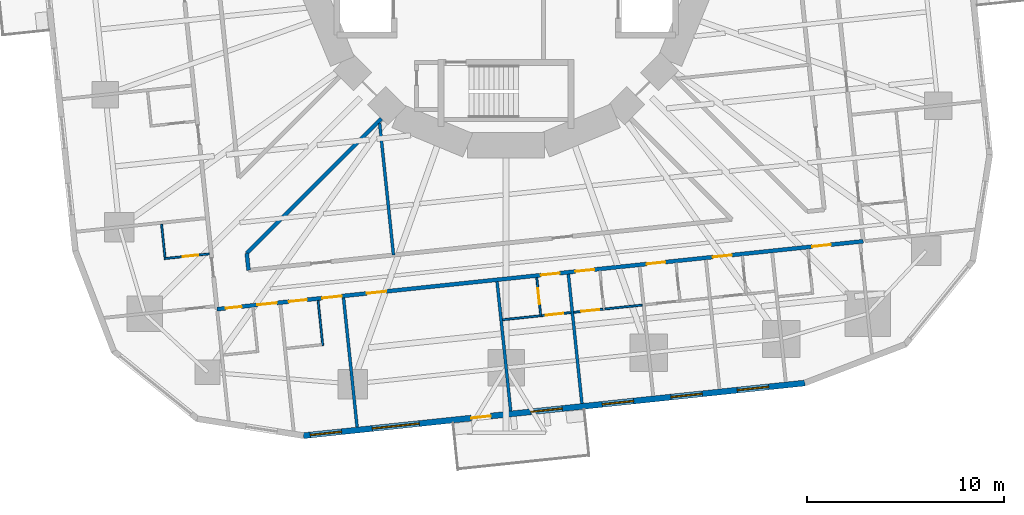
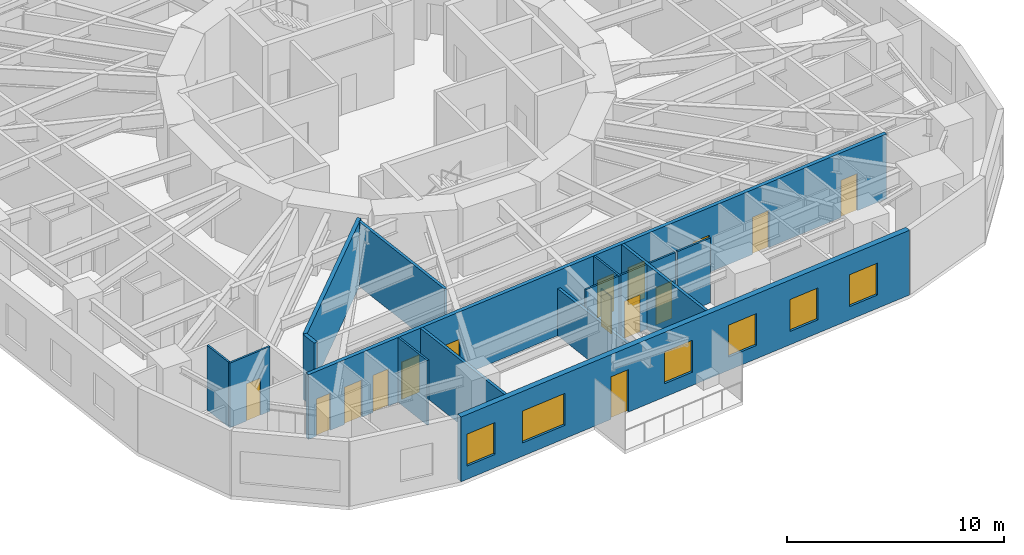
# One storey, part 5 of 13: 16 walls, 15 doors, 6 windows, 21 openings.
"""IFC4 building model written with IfcOpenShell, lengths in metres."""

from ifc_helpers import new_model, si_unit, direction, frame, frame_2d, origin, place, context, subcontext, project, spatial, rectangle, extrude, material, layer, layer_set, type_object, element, fill, save


model = new_model("IFC4")

# Units and contexts
model_context = context("Model", 3, precision=1e-05, world=origin(), true_north=direction((0.0, 1.0)))
body_context = subcontext(model_context, "Body", "Model", "MODEL_VIEW")
ifc_project = project(units=[si_unit("LENGTHUNIT", "METRE"), si_unit("AREAUNIT", "SQUARE_METRE"), si_unit("VOLUMEUNIT", "CUBIC_METRE"), si_unit("PLANEANGLEUNIT", "RADIAN"), si_unit("MASSUNIT", "GRAM", prefix="KILO")], contexts=[model_context])

# Site, building, storey
site_placement = place(None, origin())
site = spatial("IfcSite", under=ifc_project, at=site_placement, CompositionType="ELEMENT")
building_placement = place(site_placement, origin())
building = spatial("IfcBuilding", under=site, at=building_placement, Name="Nakasero Lantern House", CompositionType="ELEMENT")
storey_placement = place(building_placement, frame((0.0, 0.0, 83.60009765625)))
storey = spatial("IfcBuildingStorey", under=building, at=storey_placement, Name="L20", CompositionType="ELEMENT", Elevation=83.60009765625)

# Wall, openings, doors
ifc_material_1 = material(Name="Blockwork", Category="masonry")
ifc_layer_1 = layer(ifc_material_1, 0.199951171875)
ifc_layer_set_1 = layer_set([ifc_layer_1], Name="Corridor wall 200")
wall_type_1 = type_object("IfcWallType", Name="Corridor wall 200", PredefinedType="PARTITIONING", material=ifc_layer_set_1)
wall_1_placement = place(storey_placement, frame((-14.684814453125, -18.13427734375, 0.0), z_axis=(0.0, 0.0, 1.0), x_axis=(0.994521777723, 0.10452958258, 0.0)))
wall_1 = element("IfcWall", 1, at=wall_1_placement, inside=storey, type_object=wall_type_1, Name="Corridor wall L20 CW3", PredefinedType="PARTITIONING", context=body_context, shape_type="SweptSolid", body=[
    extrude(rectangle(XDim=32.999755859375, YDim=0.199951171875, at=frame_2d((16.5, 0.0))), origin(), (0.0, 0.0, 1.0), 3.64990234375),
])
opening_1_placement = place(wall_1_placement, frame((0.449951171875, 0.0, 0.0)))
opening_1 = element("IfcOpeningElement", 2, at=opening_1_placement, cuts=wall_1, Name="Opening D15", PredefinedType="OPENING", context=body_context, shape_type="SweptSolid", body=[
    extrude(rectangle(XDim=0.800048828125, YDim=2.10009765625, at=frame_2d((0.39990234375, 1.050048828125))), frame((0.0, 0.119873046875, 0.0), z_axis=(0.0, -1.0, 0.0), x_axis=(1.0, 0.0, 0.0)), (0.0, 0.0, 1.0), 0.239990234375),
])
opening_2_placement = place(wall_1_placement, frame((2.050048828125, 0.0, 0.0)))
opening_2 = element("IfcOpeningElement", 3, at=opening_2_placement, cuts=wall_1, Name="Opening D07", PredefinedType="OPENING", context=body_context, shape_type="SweptSolid", body=[
    extrude(rectangle(XDim=1.0, YDim=2.10009765625, at=frame_2d((0.5, 1.050048828125))), frame((0.0, 0.119873046875, 0.0), z_axis=(0.0, -1.0, 0.0), x_axis=(1.0, 0.0, 0.0)), (0.0, 0.0, 1.0), 0.239990234375),
])
opening_3_placement = place(wall_1_placement, frame((3.67529296875, 0.0, 0.0)))
opening_3 = element("IfcOpeningElement", 4, at=opening_3_placement, cuts=wall_1, Name="Opening D16", PredefinedType="OPENING", context=body_context, shape_type="SweptSolid", body=[
    extrude(rectangle(XDim=0.89990234375, YDim=2.10009765625, at=frame_2d((0.449951171875, 1.050048828125))), frame((0.0, 0.119873046875, 0.0), z_axis=(0.0, -1.0, 0.0), x_axis=(1.0, 0.0, 0.0)), (0.0, 0.0, 1.0), 0.239990234375),
])
opening_4_placement = place(wall_1_placement, frame((5.375244140625, 0.0, 0.0)))
opening_4 = element("IfcOpeningElement", 5, at=opening_4_placement, cuts=wall_1, Name="Opening D07", PredefinedType="OPENING", context=body_context, shape_type="SweptSolid", body=[
    extrude(rectangle(XDim=1.0, YDim=2.10009765625, at=frame_2d((0.5, 1.050048828125))), frame((0.0, 0.119873046875, 0.0), z_axis=(0.0, -1.0, 0.0), x_axis=(1.0, 0.0, 0.0)), (0.0, 0.0, 1.0), 0.239990234375),
])
opening_5_placement = place(wall_1_placement, frame((16.542724609375, 0.0, 0.0)))
opening_5 = element("IfcOpeningElement", 6, at=opening_5_placement, cuts=wall_1, Name="Opening D01", PredefinedType="OPENING", context=body_context, shape_type="SweptSolid", body=[
    extrude(rectangle(XDim=0.949951171875, YDim=2.10009765625, at=frame_2d((0.47509765625, 1.050048828125))), frame((0.0, 0.119873046875, 0.0), z_axis=(0.0, -1.0, 0.0), x_axis=(1.0, 0.0, 0.0)), (0.0, 0.0, 1.0), 0.239990234375),
])
opening_6_placement = place(wall_1_placement, frame((18.306396484375, 0.0, 0.0)))
opening_6 = element("IfcOpeningElement", 7, at=opening_6_placement, cuts=wall_1, Name="Opening D01", PredefinedType="OPENING", context=body_context, shape_type="SweptSolid", body=[
    extrude(rectangle(XDim=0.949951171875, YDim=2.10009765625, at=frame_2d((0.47509765625, 1.050048828125))), frame((0.0, 0.119873046875, 0.0), z_axis=(0.0, -1.0, 0.0), x_axis=(1.0, 0.0, 0.0)), (0.0, 0.0, 1.0), 0.239990234375),
])
opening_7_placement = place(wall_1_placement, frame((21.945068359375, 0.0, 0.0)))
opening_7 = element("IfcOpeningElement", 8, at=opening_7_placement, cuts=wall_1, Name="Opening D01", PredefinedType="OPENING", context=body_context, shape_type="SweptSolid", body=[
    extrude(rectangle(XDim=0.949951171875, YDim=2.10009765625, at=frame_2d((0.47509765625, 1.050048828125))), frame((0.0, 0.119873046875, 0.0), z_axis=(0.0, -1.0, 0.0), x_axis=(1.0, 0.0, 0.0)), (0.0, 0.0, 1.0), 0.239990234375),
])
opening_8_placement = place(wall_1_placement, frame((25.33056640625, 0.0, 0.0)))
opening_8 = element("IfcOpeningElement", 9, at=opening_8_placement, cuts=wall_1, Name="Opening D01", PredefinedType="OPENING", context=body_context, shape_type="SweptSolid", body=[
    extrude(rectangle(XDim=0.949951171875, YDim=2.10009765625, at=frame_2d((0.47509765625, 1.050048828125))), frame((0.0, 0.119873046875, 0.0), z_axis=(0.0, -1.0, 0.0), x_axis=(1.0, 0.0, 0.0)), (0.0, 0.0, 1.0), 0.239990234375),
])
opening_9_placement = place(wall_1_placement, frame((30.39111328125, 0.0, 0.0)))
opening_9 = element("IfcOpeningElement", 10, at=opening_9_placement, cuts=wall_1, Name="Opening D01", PredefinedType="OPENING", context=body_context, shape_type="SweptSolid", body=[
    extrude(rectangle(XDim=0.949951171875, YDim=2.10009765625, at=frame_2d((0.47509765625, 1.050048828125))), frame((0.0, 0.119873046875, 0.0), z_axis=(0.0, -1.0, 0.0), x_axis=(1.0, 0.0, 0.0)), (0.0, 0.0, 1.0), 0.239990234375),
])
opening_10_placement = place(wall_1_placement, frame((7.650634765625, 0.0, 0.0)))
opening_10 = element("IfcOpeningElement", 11, at=opening_10_placement, cuts=wall_1, Name="Opening D03", PredefinedType="OPENING", context=body_context, shape_type="SweptSolid", body=[
    extrude(rectangle(XDim=1.0, YDim=2.10009765625, at=frame_2d((0.5, 1.050048828125))), frame((0.0, 0.119873046875, 0.0), z_axis=(0.0, -1.0, 0.0), x_axis=(1.0, 0.0, 0.0)), (0.0, 0.0, 1.0), 0.239990234375),
])
ifc_material_2 = material(Name="Timber C24", Category="wood")
door_type_1 = type_object("IfcDoorType", Name="Accessible WC door 900", OperationType="SINGLE_SWING_RIGHT", PredefinedType="DOOR", material=ifc_material_2)
door_1_placement = place(opening_3_placement, origin())
door_1 = element("IfcDoor", 12, at=door_1_placement, inside=storey, type_object=door_type_1, Name="Door L20 DS3-01", OperationType="SINGLE_SWING_LEFT", OverallHeight=2.10009765625, OverallWidth=0.89990234375, PredefinedType="DOOR", context=body_context, shape_type="SweptSolid", body=[
    extrude(rectangle(XDim=0.89990234375, YDim=2.10009765625, at=frame_2d((0.449951171875, 1.050048828125))), frame((0.0, 0.02490234375, 0.0), z_axis=(0.0, -1.0, 0.0), x_axis=(1.0, 0.0, 0.0)), (0.0, 0.0, 1.0), 0.050048828125),
])
fill(opening_3, door_1)
ifc_material_3 = material(Name="Timber C24", Category="wood")
door_type_2 = type_object("IfcDoorType", Name="Bedroom door FD30S 950", OperationType="SINGLE_SWING_LEFT", PredefinedType="DOOR", material=ifc_material_3)
door_2_placement = place(opening_5_placement, origin())
door_2 = element("IfcDoor", 13, at=door_2_placement, inside=storey, type_object=door_type_2, Name="Door L20 D3-04", OperationType="SINGLE_SWING_RIGHT", OverallHeight=2.10009765625, OverallWidth=0.949951171875, PredefinedType="DOOR", context=body_context, shape_type="SweptSolid", body=[
    extrude(rectangle(XDim=0.949951171875, YDim=2.10009765625, at=frame_2d((0.47509765625, 1.050048828125))), frame((0.0, 0.02490234375, 0.0), z_axis=(0.0, -1.0, 0.0), x_axis=(1.0, 0.0, 0.0)), (0.0, 0.0, 1.0), 0.050048828125),
])
fill(opening_5, door_2)
door_3_placement = place(opening_6_placement, origin())
door_3 = element("IfcDoor", 14, at=door_3_placement, inside=storey, type_object=door_type_2, Name="Door L20 D3-05", OperationType="SINGLE_SWING_RIGHT", OverallHeight=2.10009765625, OverallWidth=0.949951171875, PredefinedType="DOOR", context=body_context, shape_type="SweptSolid", body=[
    extrude(rectangle(XDim=0.949951171875, YDim=2.10009765625, at=frame_2d((0.47509765625, 1.050048828125))), frame((0.0, 0.02490234375, 0.0), z_axis=(0.0, -1.0, 0.0), x_axis=(1.0, 0.0, 0.0)), (0.0, 0.0, 1.0), 0.050048828125),
])
fill(opening_6, door_3)
door_4_placement = place(opening_7_placement, origin())
door_4 = element("IfcDoor", 15, at=door_4_placement, inside=storey, type_object=door_type_2, Name="Door L20 D3-06", OperationType="SINGLE_SWING_RIGHT", OverallHeight=2.10009765625, OverallWidth=0.949951171875, PredefinedType="DOOR", context=body_context, shape_type="SweptSolid", body=[
    extrude(rectangle(XDim=0.949951171875, YDim=2.10009765625, at=frame_2d((0.47509765625, 1.050048828125))), frame((0.0, 0.02490234375, 0.0), z_axis=(0.0, -1.0, 0.0), x_axis=(1.0, 0.0, 0.0)), (0.0, 0.0, 1.0), 0.050048828125),
])
fill(opening_7, door_4)
door_5_placement = place(opening_8_placement, origin())
door_5 = element("IfcDoor", 16, at=door_5_placement, inside=storey, type_object=door_type_2, Name="Door L20 D3-07", OperationType="SINGLE_SWING_RIGHT", OverallHeight=2.10009765625, OverallWidth=0.949951171875, PredefinedType="DOOR", context=body_context, shape_type="SweptSolid", body=[
    extrude(rectangle(XDim=0.949951171875, YDim=2.10009765625, at=frame_2d((0.47509765625, 1.050048828125))), frame((0.0, 0.02490234375, 0.0), z_axis=(0.0, -1.0, 0.0), x_axis=(1.0, 0.0, 0.0)), (0.0, 0.0, 1.0), 0.050048828125),
])
fill(opening_8, door_5)
door_6_placement = place(opening_9_placement, origin())
door_6 = element("IfcDoor", 17, at=door_6_placement, inside=storey, type_object=door_type_2, Name="Door L20 D3-08", OperationType="SINGLE_SWING_RIGHT", OverallHeight=2.10009765625, OverallWidth=0.949951171875, PredefinedType="DOOR", context=body_context, shape_type="SweptSolid", body=[
    extrude(rectangle(XDim=0.949951171875, YDim=2.10009765625, at=frame_2d((0.47509765625, 1.050048828125))), frame((0.0, 0.02490234375, 0.0), z_axis=(0.0, -1.0, 0.0), x_axis=(1.0, 0.0, 0.0)), (0.0, 0.0, 1.0), 0.050048828125),
])
fill(opening_9, door_6)
ifc_material_4 = material(Name="Timber C24", Category="wood")
door_type_3 = type_object("IfcDoorType", Name="Cleaner's store door FD30S 800", OperationType="SINGLE_SWING_LEFT", PredefinedType="DOOR", material=ifc_material_4)
door_7_placement = place(opening_1_placement, origin())
door_7 = element("IfcDoor", 18, at=door_7_placement, inside=storey, type_object=door_type_3, Name="Door L20 DS3-00", OperationType="SINGLE_SWING_LEFT", OverallHeight=2.10009765625, OverallWidth=0.800048828125, PredefinedType="DOOR", context=body_context, shape_type="SweptSolid", body=[
    extrude(rectangle(XDim=0.800048828125, YDim=2.10009765625, at=frame_2d((0.39990234375, 1.050048828125))), frame((0.0, 0.02490234375, 0.0), z_axis=(0.0, -1.0, 0.0), x_axis=(1.0, 0.0, 0.0)), (0.0, 0.0, 1.0), 0.050048828125),
])
fill(opening_1, door_7)
ifc_material_5 = material(Name="Timber C24", Category="wood")
door_type_4 = type_object("IfcDoorType", Name="Lounge door FD30S 1000", OperationType="SINGLE_SWING_LEFT", PredefinedType="DOOR", material=ifc_material_5)
door_8_placement = place(opening_10_placement, origin())
door_8 = element("IfcDoor", 19, at=door_8_placement, inside=storey, type_object=door_type_4, Name="Door L20 DK3", OperationType="SINGLE_SWING_LEFT", OverallHeight=2.10009765625, OverallWidth=1.0, PredefinedType="DOOR", context=body_context, shape_type="SweptSolid", body=[
    extrude(rectangle(XDim=1.0, YDim=2.10009765625, at=frame_2d((0.5, 1.050048828125))), frame((0.0, 0.02490234375, 0.0), z_axis=(0.0, -1.0, 0.0), x_axis=(1.0, 0.0, 0.0)), (0.0, 0.0, 1.0), 0.050048828125),
])
fill(opening_10, door_8)
ifc_material_6 = material(Name="Timber C24", Category="wood")
door_type_5 = type_object("IfcDoorType", Name="Room door FD30S 1000", OperationType="SINGLE_SWING_LEFT", PredefinedType="DOOR", material=ifc_material_6)
door_9_placement = place(opening_2_placement, origin())
door_9 = element("IfcDoor", 20, at=door_9_placement, inside=storey, type_object=door_type_5, Name="Door L20 D3-00", OperationType="SINGLE_SWING_LEFT", OverallHeight=2.10009765625, OverallWidth=1.0, PredefinedType="DOOR", context=body_context, shape_type="SweptSolid", body=[
    extrude(rectangle(XDim=1.0, YDim=2.10009765625, at=frame_2d((0.5, 1.050048828125))), frame((0.0, 0.02490234375, 0.0), z_axis=(0.0, -1.0, 0.0), x_axis=(1.0, 0.0, 0.0)), (0.0, 0.0, 1.0), 0.050048828125),
])
fill(opening_2, door_9)
door_10_placement = place(opening_4_placement, origin())
door_10 = element("IfcDoor", 21, at=door_10_placement, inside=storey, type_object=door_type_5, Name="Door L20 D3-01", OperationType="SINGLE_SWING_LEFT", OverallHeight=2.10009765625, OverallWidth=1.0, PredefinedType="DOOR", context=body_context, shape_type="SweptSolid", body=[
    extrude(rectangle(XDim=1.0, YDim=2.10009765625, at=frame_2d((0.5, 1.050048828125))), frame((0.0, 0.02490234375, 0.0), z_axis=(0.0, -1.0, 0.0), x_axis=(1.0, 0.0, 0.0)), (0.0, 0.0, 1.0), 0.050048828125),
])
fill(opening_4, door_10)

# Walls
wall_2_placement = place(storey_placement, frame((-6.334228515625, -8.45556640625, 0.0), z_axis=(0.0, 0.0, 1.0), x_axis=(-0.707106781187, -0.707106781187, 0.0)))
element("IfcWall", 22, at=wall_2_placement, inside=storey, type_object=wall_type_1, Name="Corridor wall L20 PS10a", PredefinedType="PARTITIONING", context=body_context, shape_type="SweptSolid", body=[
    extrude(rectangle(XDim=9.671875, YDim=0.199951171875, at=frame_2d((4.8359375, 0.0))), origin(), (0.0, 0.0, 1.0), 3.64990234375),
])
wall_3_placement = place(storey_placement, frame((-13.0830078125, -16.156005859375, 0.0), z_axis=(0.0, 0.0, 1.0), x_axis=(-0.104303245505, 0.994545540927, 0.0)))
element("IfcWall", 23, at=wall_3_placement, inside=storey, type_object=wall_type_1, Name="Corridor wall L20 IW3-0R0", PredefinedType="PARTITIONING", context=body_context, shape_type="SweptSolid", body=[
    extrude(rectangle(XDim=0.865966796875, YDim=0.199951171875, at=frame_2d((0.43310546875, 0.0))), origin(), (0.0, 0.0, 1.0), 3.64990234375),
])

# Wall, opening, door
ifc_material_7 = material(Name="Blockwork", Category="masonry")
ifc_layer_2 = layer(ifc_material_7, 0.10009765625)
ifc_layer_set_2 = layer_set([ifc_layer_2], Name="En-suite wall 100")
wall_type_2 = type_object("IfcWallType", Name="En-suite wall 100", PredefinedType="PARTITIONING", material=ifc_layer_set_2)
wall_4_placement = place(storey_placement, frame((-15.08056640625, -15.326416015625, 0.0), z_axis=(0.0, 0.0, 1.0), x_axis=(-0.994518822602, -0.104557694553, 0.0)))
wall_4 = element("IfcWall", 24, at=wall_4_placement, inside=storey, type_object=wall_type_2, Name="En-suite wall L20 ES2-08", PredefinedType="PARTITIONING", context=body_context, shape_type="SweptSolid", body=[
    extrude(rectangle(XDim=2.300048828125, YDim=0.10009765625, at=frame_2d((1.14990234375, 0.0))), origin(), (0.0, 0.0, 1.0), 3.64990234375),
])
opening_11_placement = place(wall_4_placement, frame((0.550048828125, 0.0, 0.0)))
opening_11 = element("IfcOpeningElement", 25, at=opening_11_placement, cuts=wall_4, Name="Opening D02", PredefinedType="OPENING", context=body_context, shape_type="SweptSolid", body=[
    extrude(rectangle(XDim=0.800048828125, YDim=2.10009765625, at=frame_2d((0.39990234375, 1.050048828125))), frame((0.0, 0.070068359375, 0.0), z_axis=(0.0, -1.0, 0.0), x_axis=(1.0, 0.0, 0.0)), (0.0, 0.0, 1.0), 0.14013671875),
])
ifc_material_8 = material(Name="Timber C24", Category="wood")
door_type_6 = type_object("IfcDoorType", Name="En-suite door 800", OperationType="SINGLE_SWING_RIGHT", PredefinedType="DOOR", material=ifc_material_8)
door_11_placement = place(opening_11_placement, origin())
door_11 = element("IfcDoor", 26, at=door_11_placement, inside=storey, type_object=door_type_6, Name="Door L20 DE2-08", OperationType="SINGLE_SWING_LEFT", OverallHeight=2.10009765625, OverallWidth=0.800048828125, PredefinedType="DOOR", context=body_context, shape_type="SweptSolid", body=[
    extrude(rectangle(XDim=0.800048828125, YDim=2.10009765625, at=frame_2d((0.39990234375, 1.050048828125))), frame((0.0, 0.02490234375, 0.0), z_axis=(0.0, -1.0, 0.0), x_axis=(1.0, 0.0, 0.0)), (0.0, 0.0, 1.0), 0.050048828125),
])
fill(opening_11, door_11)

# Walls
wall_5_placement = place(storey_placement, frame((-17.501220703125, -13.8212890625, 0.0), z_axis=(0.0, 0.0, 1.0), x_axis=(0.104550220202, -0.994519608382, 0.0)))
element("IfcWall", 27, at=wall_5_placement, inside=storey, type_object=wall_type_2, Name="En-suite wall L20 EE2-08", PredefinedType="PARTITIONING", context=body_context, shape_type="SweptSolid", body=[
    extrude(rectangle(XDim=1.699951171875, YDim=0.10009765625, at=frame_2d((0.85009765625, 0.0))), origin(), (0.0, 0.0, 1.0), 3.64990234375),
])
wall_6_placement = place(storey_placement, frame((-9.55224609375, -17.6953125, 0.0), z_axis=(0.0, 0.0, 1.0), x_axis=(0.104441677364, -0.994531013106, 0.0)))
element("IfcWall", 28, at=wall_6_placement, inside=storey, type_object=wall_type_2, Name="En-suite wall L20 ES3-01", PredefinedType="PARTITIONING", context=body_context, shape_type="SweptSolid", body=[
    extrude(rectangle(XDim=2.30029296875, YDim=0.10009765625, at=frame_2d((1.150146484375, 0.0))), origin(), (0.0, 0.0, 1.0), 3.64990234375),
])

# Wall, opening, door
wall_7_placement = place(storey_placement, frame((1.553955078125, -16.528076171875, 0.0), z_axis=(0.0, 0.0, 1.0), x_axis=(0.104494148666, -0.99452550138, 0.0)))
wall_7 = element("IfcWall", 29, at=wall_7_placement, inside=storey, type_object=wall_type_2, Name="En-suite wall L20 ES3-04", PredefinedType="PARTITIONING", context=body_context, shape_type="SweptSolid", body=[
    extrude(rectangle(XDim=2.0, YDim=0.10009765625, at=frame_2d((1.0, 0.0))), origin(), (0.0, 0.0, 1.0), 3.64990234375),
])
opening_12_placement = place(wall_7_placement, frame((0.550048828125, 0.0, 0.0)))
opening_12 = element("IfcOpeningElement", 30, at=opening_12_placement, cuts=wall_7, Name="Opening D02", PredefinedType="OPENING", context=body_context, shape_type="SweptSolid", body=[
    extrude(rectangle(XDim=0.800048828125, YDim=2.10009765625, at=frame_2d((0.39990234375, 1.050048828125))), frame((0.0, 0.070068359375, 0.0), z_axis=(0.0, -1.0, 0.0), x_axis=(1.0, 0.0, 0.0)), (0.0, 0.0, 1.0), 0.14013671875),
])
door_12_placement = place(opening_12_placement, origin())
door_12 = element("IfcDoor", 31, at=door_12_placement, inside=storey, type_object=door_type_6, Name="Door L20 DE3-04", OperationType="SINGLE_SWING_LEFT", OverallHeight=2.10009765625, OverallWidth=0.800048828125, PredefinedType="DOOR", context=body_context, shape_type="SweptSolid", body=[
    extrude(rectangle(XDim=0.800048828125, YDim=2.10009765625, at=frame_2d((0.39990234375, 1.050048828125))), frame((0.0, 0.02490234375, 0.0), z_axis=(0.0, -1.0, 0.0), x_axis=(1.0, 0.0, 0.0)), (0.0, 0.0, 1.0), 0.050048828125),
])
fill(opening_12, door_12)

# Walls
wall_8_placement = place(storey_placement, frame((-0.181396484375, -18.671142578125, 0.0), z_axis=(0.0, 0.0, 1.0), x_axis=(0.994527260141, 0.104477408256, 0.0)))
element("IfcWall", 32, at=wall_8_placement, inside=storey, type_object=wall_type_2, Name="En-suite wall L20 EE3-04", PredefinedType="PARTITIONING", context=body_context, shape_type="SweptSolid", body=[
    extrude(rectangle(XDim=1.89990234375, YDim=0.10009765625, at=frame_2d((0.949951171875, 0.0))), origin(), (0.0, 0.0, 1.0), 3.64990234375),
])
wall_9_placement = place(storey_placement, frame((5.01708984375, -18.124755859375, 0.0), z_axis=(0.0, 0.0, 1.0), x_axis=(0.994528662611, 0.104464057197, 0.0)))
element("IfcWall", 33, at=wall_9_placement, inside=storey, type_object=wall_type_2, Name="En-suite wall L20 EE3-05", PredefinedType="PARTITIONING", context=body_context, shape_type="SweptSolid", body=[
    extrude(rectangle(XDim=1.900146484375, YDim=0.10009765625, at=frame_2d((0.9501953125, 0.0))), origin(), (0.0, 0.0, 1.0), 3.64990234375),
])

# Wall, opening, door
wall_10_placement = place(storey_placement, frame((1.8076171875, -18.462158203125, 0.0), z_axis=(0.0, 0.0, 1.0), x_axis=(0.994527896493, 0.104471350605, 0.0)))
wall_10 = element("IfcWall", 34, at=wall_10_placement, inside=storey, type_object=wall_type_2, Name="En-suite wall L20 EL3-04", PredefinedType="PARTITIONING", context=body_context, shape_type="SweptSolid", body=[
    extrude(rectangle(XDim=1.488525390625, YDim=0.10009765625, at=frame_2d((0.744140625, 0.0))), origin(), (0.0, 0.0, 1.0), 3.64990234375),
])
opening_13_placement = place(wall_10_placement, frame((0.199951171875, 0.0, 0.0)))
opening_13 = element("IfcOpeningElement", 35, at=opening_13_placement, cuts=wall_10, Name="Opening D17", PredefinedType="OPENING", context=body_context, shape_type="SweptSolid", body=[
    extrude(rectangle(XDim=0.89990234375, YDim=2.10009765625, at=frame_2d((0.449951171875, 1.050048828125))), frame((0.0, 0.070068359375, 0.0), z_axis=(0.0, -1.0, 0.0), x_axis=(1.0, 0.0, 0.0)), (0.0, 0.0, 1.0), 0.14013671875),
])
ifc_material_9 = material(Name="Timber C24", Category="wood")
door_type_7 = type_object("IfcDoorType", Name="Bedroom door FD30S 900", OperationType="SINGLE_SWING_LEFT", PredefinedType="DOOR", material=ifc_material_9)
door_13_placement = place(opening_13_placement, origin())
door_13 = element("IfcDoor", 36, at=door_13_placement, inside=storey, type_object=door_type_7, Name="Door L20 DL3-04", OperationType="SINGLE_SWING_LEFT", OverallHeight=2.10009765625, OverallWidth=0.89990234375, PredefinedType="DOOR", context=body_context, shape_type="SweptSolid", body=[
    extrude(rectangle(XDim=0.89990234375, YDim=2.10009765625, at=frame_2d((0.449951171875, 1.050048828125))), frame((0.0, 0.02490234375, 0.0), z_axis=(0.0, -1.0, 0.0), x_axis=(1.0, 0.0, 0.0)), (0.0, 0.0, 1.0), 0.050048828125),
])
fill(opening_13, door_13)

wall_11_placement = place(storey_placement, frame((3.437255859375, -18.291015625, 0.0), z_axis=(0.0, 0.0, 1.0), x_axis=(0.994510843464, 0.104633561697, 0.0)))
wall_11 = element("IfcWall", 37, at=wall_11_placement, inside=storey, type_object=wall_type_2, Name="En-suite wall L20 EL3-05", PredefinedType="PARTITIONING", context=body_context, shape_type="SweptSolid", body=[
    extrude(rectangle(XDim=1.488525390625, YDim=0.10009765625, at=frame_2d((0.744140625, 0.0))), origin(), (0.0, 0.0, 1.0), 3.64990234375),
])
opening_14_placement = place(wall_11_placement, frame((0.388671875, 0.0, 0.0)))
opening_14 = element("IfcOpeningElement", 38, at=opening_14_placement, cuts=wall_11, Name="Opening D17", PredefinedType="OPENING", context=body_context, shape_type="SweptSolid", body=[
    extrude(rectangle(XDim=0.89990234375, YDim=2.10009765625, at=frame_2d((0.449951171875, 1.050048828125))), frame((0.0, 0.070068359375, 0.0), z_axis=(0.0, -1.0, 0.0), x_axis=(1.0, 0.0, 0.0)), (0.0, 0.0, 1.0), 0.14013671875),
])
door_14_placement = place(opening_14_placement, origin())
door_14 = element("IfcDoor", 39, at=door_14_placement, inside=storey, type_object=door_type_7, Name="Door L20 DL3-05", OperationType="SINGLE_SWING_RIGHT", OverallHeight=2.10009765625, OverallWidth=0.89990234375, PredefinedType="DOOR", context=body_context, shape_type="SweptSolid", body=[
    extrude(rectangle(XDim=0.89990234375, YDim=2.10009765625, at=frame_2d((0.449951171875, 1.050048828125))), frame((0.0, 0.02490234375, 0.0), z_axis=(0.0, -1.0, 0.0), x_axis=(1.0, 0.0, 0.0)), (0.0, 0.0, 1.0), 0.050048828125),
])
fill(opening_14, door_14)

# Wall, openings, door, windows
ifc_material_10 = material(Name="Aluminium rainscreen on blockwork", Category="masonry")
ifc_layer_3 = layer(ifc_material_10, 0.300048828125)
ifc_layer_set_3 = layer_set([ifc_layer_3], Name="Facade wall 300")
wall_type_3 = type_object("IfcWallType", Name="Facade wall 300", PredefinedType="SOLIDWALL", material=ifc_layer_set_3)
wall_12_placement = place(storey_placement, frame((-10.2890625, -24.56005859375, 0.0), z_axis=(0.0, 0.0, 1.0), x_axis=(0.994521483895, 0.104532378096, 0.0)))
wall_12 = element("IfcWall", 40, at=wall_12_placement, inside=storey, type_object=wall_type_3, Name="Facade wall L20 FW3S", PredefinedType="SOLIDWALL", context=body_context, shape_type="SweptSolid", body=[
    extrude(rectangle(XDim=25.599853515625, YDim=0.300048828125, at=frame_2d((12.7998046875, 0.0))), origin(), (0.0, 0.0, 1.0), 3.64990234375),
])
opening_15_placement = place(wall_12_placement, frame((0.337890625, 0.0, 0.75)))
opening_15 = element("IfcOpeningElement", 41, at=opening_15_placement, cuts=wall_12, Name="Opening W01", PredefinedType="OPENING", context=body_context, shape_type="SweptSolid", body=[
    extrude(rectangle(XDim=1.60009765625, YDim=1.800048828125, at=frame_2d((0.800048828125, 0.89990234375))), frame((0.0, 0.169921875, 0.0), z_axis=(0.0, -1.0, 0.0), x_axis=(1.0, 0.0, 0.0)), (0.0, 0.0, 1.0), 0.340087890625),
])
opening_16_placement = place(wall_12_placement, frame((11.612060546875, 0.0, 0.75)))
opening_16 = element("IfcOpeningElement", 42, at=opening_16_placement, cuts=wall_12, Name="Opening W01", PredefinedType="OPENING", context=body_context, shape_type="SweptSolid", body=[
    extrude(rectangle(XDim=1.60009765625, YDim=1.800048828125, at=frame_2d((0.800048828125, 0.89990234375))), frame((0.0, 0.169921875, 0.0), z_axis=(0.0, -1.0, 0.0), x_axis=(1.0, 0.0, 0.0)), (0.0, 0.0, 1.0), 0.340087890625),
])
opening_17_placement = place(wall_12_placement, frame((15.250732421875, 0.0, 0.75)))
opening_17 = element("IfcOpeningElement", 43, at=opening_17_placement, cuts=wall_12, Name="Opening W01", PredefinedType="OPENING", context=body_context, shape_type="SweptSolid", body=[
    extrude(rectangle(XDim=1.60009765625, YDim=1.800048828125, at=frame_2d((0.800048828125, 0.89990234375))), frame((0.0, 0.169921875, 0.0), z_axis=(0.0, -1.0, 0.0), x_axis=(1.0, 0.0, 0.0)), (0.0, 0.0, 1.0), 0.340087890625),
])
opening_18_placement = place(wall_12_placement, frame((18.7626953125, 0.0, 0.75)))
opening_18 = element("IfcOpeningElement", 44, at=opening_18_placement, cuts=wall_12, Name="Opening W01", PredefinedType="OPENING", context=body_context, shape_type="SweptSolid", body=[
    extrude(rectangle(XDim=1.60009765625, YDim=1.800048828125, at=frame_2d((0.800048828125, 0.89990234375))), frame((0.0, 0.169921875, 0.0), z_axis=(0.0, -1.0, 0.0), x_axis=(1.0, 0.0, 0.0)), (0.0, 0.0, 1.0), 0.340087890625),
])
opening_19_placement = place(wall_12_placement, frame((22.1484375, 0.0, 0.75)))
opening_19 = element("IfcOpeningElement", 45, at=opening_19_placement, cuts=wall_12, Name="Opening W01", PredefinedType="OPENING", context=body_context, shape_type="SweptSolid", body=[
    extrude(rectangle(XDim=1.60009765625, YDim=1.800048828125, at=frame_2d((0.800048828125, 0.89990234375))), frame((0.0, 0.169921875, 0.0), z_axis=(0.0, -1.0, 0.0), x_axis=(1.0, 0.0, 0.0)), (0.0, 0.0, 1.0), 0.340087890625),
])
opening_20_placement = place(wall_12_placement, frame((3.51123046875, 0.0, 0.75)))
opening_20 = element("IfcOpeningElement", 46, at=opening_20_placement, cuts=wall_12, Name="Opening W03", PredefinedType="OPENING", context=body_context, shape_type="SweptSolid", body=[
    extrude(rectangle(XDim=2.39990234375, YDim=1.800048828125, at=frame_2d((1.199951171875, 0.89990234375))), frame((0.0, 0.169921875, 0.0), z_axis=(0.0, -1.0, 0.0), x_axis=(1.0, 0.0, 0.0)), (0.0, 0.0, 1.0), 0.340087890625),
])
opening_21_placement = place(wall_12_placement, frame((8.558837890625, 0.0, 0.0)))
opening_21 = element("IfcOpeningElement", 47, at=opening_21_placement, cuts=wall_12, Name="Opening D04", PredefinedType="OPENING", context=body_context, shape_type="SweptSolid", body=[
    extrude(rectangle(XDim=1.0, YDim=2.39990234375, at=frame_2d((0.5, 1.199951171875))), frame((0.0, 0.169921875, 0.0), z_axis=(0.0, -1.0, 0.0), x_axis=(1.0, 0.0, 0.0)), (0.0, 0.0, 1.0), 0.340087890625),
])
ifc_material_11 = material(Name="Aluminium 6063-T6 and glass", Category="aluminium")
door_type_8 = type_object("IfcDoorType", Name="Balcony door 1000x2400", OperationType="SINGLE_SWING_RIGHT", PredefinedType="DOOR", material=ifc_material_11)
door_15_placement = place(opening_21_placement, origin())
door_15 = element("IfcDoor", 48, at=door_15_placement, inside=storey, type_object=door_type_8, Name="Balcony door L20 DB3", OperationType="SINGLE_SWING_RIGHT", OverallHeight=2.39990234375, OverallWidth=1.0, PredefinedType="DOOR", context=body_context, shape_type="SweptSolid", body=[
    extrude(rectangle(XDim=1.0, YDim=2.39990234375, at=frame_2d((0.5, 1.199951171875))), frame((0.0, 0.02490234375, 0.0), z_axis=(0.0, -1.0, 0.0), x_axis=(1.0, 0.0, 0.0)), (0.0, 0.0, 1.0), 0.050048828125),
])
fill(opening_21, door_15)
ifc_material_12 = material(Name="Aluminium 6063-T6 and glass", Category="aluminium")
window_type_1 = type_object("IfcWindowType", Name="Bedroom window 1600x1800", PartitioningType="SINGLE_PANEL", PredefinedType="WINDOW", material=ifc_material_12)
window_1_placement = place(opening_15_placement, origin())
window_1 = element("IfcWindow", 49, at=window_1_placement, inside=storey, type_object=window_type_1, Name="Window L20 WN3-01", OverallHeight=1.800048828125, OverallWidth=1.60009765625, PartitioningType="SINGLE_PANEL", PredefinedType="WINDOW", context=body_context, shape_type="SweptSolid", body=[
    extrude(rectangle(XDim=1.60009765625, YDim=1.800048828125, at=frame_2d((0.800048828125, 0.89990234375))), frame((0.0, 0.030029296875, 0.0), z_axis=(0.0, -1.0, 0.0), x_axis=(1.0, 0.0, 0.0)), (0.0, 0.0, 1.0), 0.06005859375),
])
fill(opening_15, window_1)
window_2_placement = place(opening_16_placement, origin())
window_2 = element("IfcWindow", 50, at=window_2_placement, inside=storey, type_object=window_type_1, Name="Window L20 WN3-04", OverallHeight=1.800048828125, OverallWidth=1.60009765625, PartitioningType="SINGLE_PANEL", PredefinedType="WINDOW", context=body_context, shape_type="SweptSolid", body=[
    extrude(rectangle(XDim=1.60009765625, YDim=1.800048828125, at=frame_2d((0.800048828125, 0.89990234375))), frame((0.0, 0.030029296875, 0.0), z_axis=(0.0, -1.0, 0.0), x_axis=(1.0, 0.0, 0.0)), (0.0, 0.0, 1.0), 0.06005859375),
])
fill(opening_16, window_2)
window_3_placement = place(opening_17_placement, origin())
window_3 = element("IfcWindow", 51, at=window_3_placement, inside=storey, type_object=window_type_1, Name="Window L20 WN3-05", OverallHeight=1.800048828125, OverallWidth=1.60009765625, PartitioningType="SINGLE_PANEL", PredefinedType="WINDOW", context=body_context, shape_type="SweptSolid", body=[
    extrude(rectangle(XDim=1.60009765625, YDim=1.800048828125, at=frame_2d((0.800048828125, 0.89990234375))), frame((0.0, 0.030029296875, 0.0), z_axis=(0.0, -1.0, 0.0), x_axis=(1.0, 0.0, 0.0)), (0.0, 0.0, 1.0), 0.06005859375),
])
fill(opening_17, window_3)
window_4_placement = place(opening_18_placement, origin())
window_4 = element("IfcWindow", 52, at=window_4_placement, inside=storey, type_object=window_type_1, Name="Window L20 WN3-06", OverallHeight=1.800048828125, OverallWidth=1.60009765625, PartitioningType="SINGLE_PANEL", PredefinedType="WINDOW", context=body_context, shape_type="SweptSolid", body=[
    extrude(rectangle(XDim=1.60009765625, YDim=1.800048828125, at=frame_2d((0.800048828125, 0.89990234375))), frame((0.0, 0.030029296875, 0.0), z_axis=(0.0, -1.0, 0.0), x_axis=(1.0, 0.0, 0.0)), (0.0, 0.0, 1.0), 0.06005859375),
])
fill(opening_18, window_4)
window_5_placement = place(opening_19_placement, origin())
window_5 = element("IfcWindow", 53, at=window_5_placement, inside=storey, type_object=window_type_1, Name="Window L20 WN3-07", OverallHeight=1.800048828125, OverallWidth=1.60009765625, PartitioningType="SINGLE_PANEL", PredefinedType="WINDOW", context=body_context, shape_type="SweptSolid", body=[
    extrude(rectangle(XDim=1.60009765625, YDim=1.800048828125, at=frame_2d((0.800048828125, 0.89990234375))), frame((0.0, 0.030029296875, 0.0), z_axis=(0.0, -1.0, 0.0), x_axis=(1.0, 0.0, 0.0)), (0.0, 0.0, 1.0), 0.06005859375),
])
fill(opening_19, window_5)
ifc_material_13 = material(Name="Aluminium 6063-T6 and glass", Category="aluminium")
window_type_2 = type_object("IfcWindowType", Name="Lounge window 2400x1800", PartitioningType="SINGLE_PANEL", PredefinedType="WINDOW", material=ifc_material_13)
window_6_placement = place(opening_20_placement, origin())
window_6 = element("IfcWindow", 54, at=window_6_placement, inside=storey, type_object=window_type_2, Name="Window L20 WK3", OverallHeight=1.800048828125, OverallWidth=2.39990234375, PartitioningType="SINGLE_PANEL", PredefinedType="WINDOW", context=body_context, shape_type="SweptSolid", body=[
    extrude(rectangle(XDim=2.39990234375, YDim=1.800048828125, at=frame_2d((1.199951171875, 0.89990234375))), frame((0.0, 0.030029296875, 0.0), z_axis=(0.0, -1.0, 0.0), x_axis=(1.0, 0.0, 0.0)), (0.0, 0.0, 1.0), 0.06005859375),
])
fill(opening_20, window_6)

# Walls
ifc_material_14 = material(Name="Blockwork", Category="masonry")
ifc_layer_4 = layer(ifc_material_14, 0.14990234375)
ifc_layer_set_4 = layer_set([ifc_layer_4], Name="Party wall 150")
wall_type_4 = type_object("IfcWallType", Name="Party wall 150", PredefinedType="PARTITIONING", material=ifc_layer_set_4)
wall_13_placement = place(storey_placement, frame((-8.25927734375, -17.5595703125, 0.0), z_axis=(0.0, 0.0, 1.0), x_axis=(0.104538438287, -0.994520846901, 0.0)))
element("IfcWall", 55, at=wall_13_placement, inside=storey, type_object=wall_type_4, Name="Party wall L20 PW3-02", PredefinedType="PARTITIONING", context=body_context, shape_type="SweptSolid", body=[
    extrude(rectangle(XDim=6.599853515625, YDim=0.14990234375, at=frame_2d((3.2998046875, 0.0))), origin(), (0.0, 0.0, 1.0), 3.64990234375),
])
wall_14_placement = place(storey_placement, frame((-0.4599609375, -16.73974609375, 0.0), z_axis=(0.0, 0.0, 1.0), x_axis=(0.104534592565, -0.994521251134, 0.0)))
element("IfcWall", 56, at=wall_14_placement, inside=storey, type_object=wall_type_4, Name="Party wall L20 PW3-04", PredefinedType="PARTITIONING", context=body_context, shape_type="SweptSolid", body=[
    extrude(rectangle(XDim=6.60009765625, YDim=0.14990234375, at=frame_2d((3.300048828125, 0.0))), origin(), (0.0, 0.0, 1.0), 2.64990234375),
])
wall_15_placement = place(storey_placement, frame((3.15869140625, -16.359375, 0.0), z_axis=(0.0, 0.0, 1.0), x_axis=(0.104534592565, -0.994521251134, 0.0)))
element("IfcWall", 57, at=wall_15_placement, inside=storey, type_object=wall_type_4, Name="Party wall L20 PW3-05", PredefinedType="PARTITIONING", context=body_context, shape_type="SweptSolid", body=[
    extrude(rectangle(XDim=6.60009765625, YDim=0.14990234375, at=frame_2d((3.300048828125, 0.0))), origin(), (0.0, 0.0, 1.0), 3.64990234375),
])
wall_16_placement = place(storey_placement, frame((-6.425048828125, -8.687744140625, 0.0), z_axis=(0.0, 0.0, 1.0), x_axis=(0.104526194871, -0.994522133784, 0.0)))
element("IfcWall", 58, at=wall_16_placement, inside=storey, type_object=wall_type_4, Name="Party wall L20 IS2", PredefinedType="PARTITIONING", context=body_context, shape_type="SweptSolid", body=[
    extrude(rectangle(XDim=6.7314453125, YDim=0.14990234375, at=frame_2d((3.36572265625, 0.0))), origin(), (0.0, 0.0, 1.0), 3.64990234375),
])

save(model, "model.ifc")
